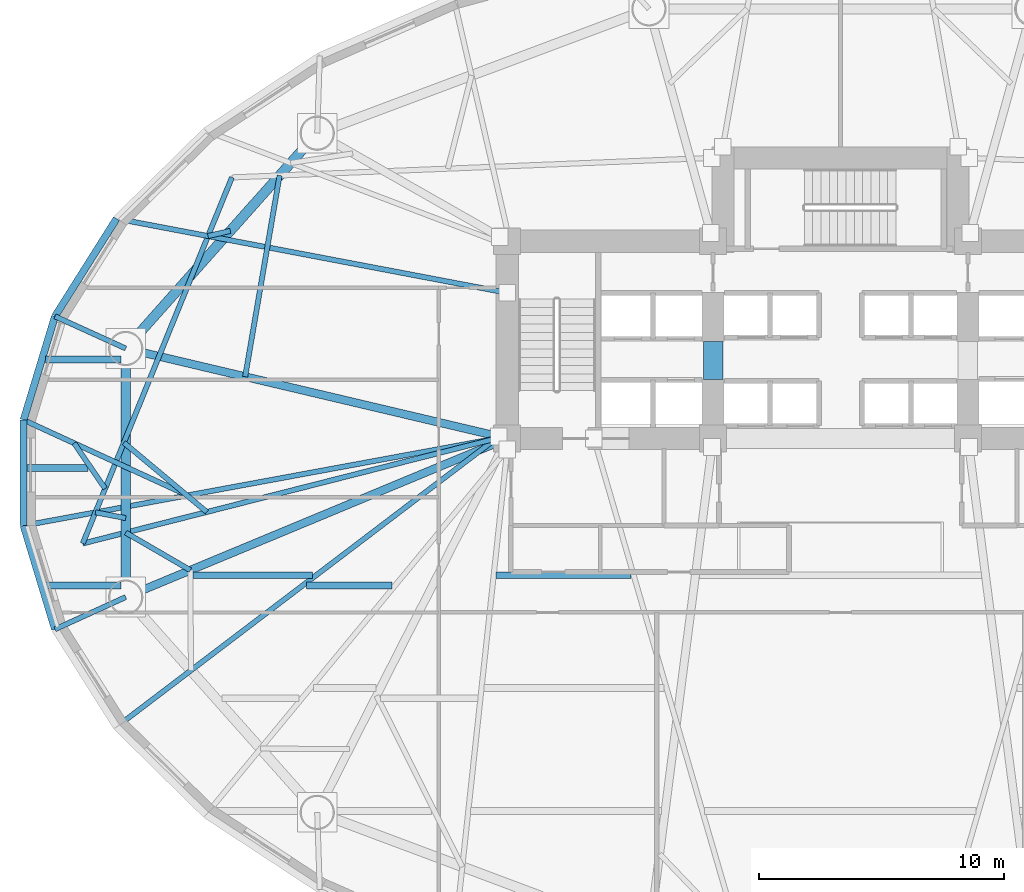
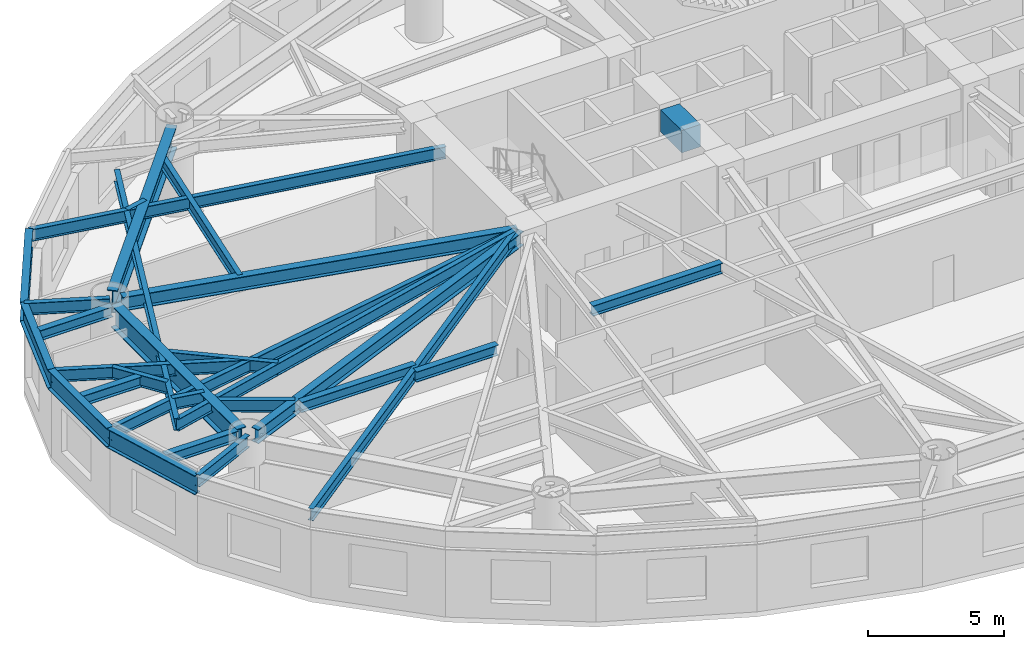
# One storey, part 3 of 18: 29 beams.
"""IFC4 building model written with IfcOpenShell, lengths in metres."""

from ifc_helpers import new_model, si_unit, direction, frame, origin, origin_2d, place, context, subcontext, project, spatial, rectangle, i_section, extrude, material, material_profile, profile_set, type_object, element, save


model = new_model("IFC4")

# Units and contexts
model_context = context("Model", 3, precision=1e-05, world=origin(), true_north=direction((0.0, 1.0)))
body_context = subcontext(model_context, "Body", "Model", "MODEL_VIEW")
ifc_project = project(units=[si_unit("LENGTHUNIT", "METRE"), si_unit("AREAUNIT", "SQUARE_METRE"), si_unit("VOLUMEUNIT", "CUBIC_METRE"), si_unit("PLANEANGLEUNIT", "RADIAN"), si_unit("MASSUNIT", "GRAM", prefix="KILO")], contexts=[model_context])

# Site, building, storey
site_placement = place(None, origin())
site = spatial("IfcSite", under=ifc_project, at=site_placement, CompositionType="ELEMENT")
building_placement = place(site_placement, origin())
building = spatial("IfcBuilding", under=site, at=building_placement, Name="Keldmark Tower", CompositionType="ELEMENT")
storey_placement = place(building_placement, frame((0.0, 0.0, 6.0)))
storey = spatial("IfcBuildingStorey", under=building, at=storey_placement, Name="L01", CompositionType="ELEMENT", Elevation=6.0)

# Beams
ifc_material_1 = material(Name="Steel ASTM A992 Grade 50", Category="steel")
ifc_material_profile_1 = material_profile(ifc_material_1, i_section(OverallWidth=0.280029296875, OverallDepth=0.462890625, WebThickness=0.0107421875, FlangeThickness=0.017333984375, at=origin_2d()), Name="W18X76")
ifc_profile_set_1 = profile_set([ifc_material_profile_1], Name="Steel ASTM A992 Grade 50")
beam_type_1 = type_object("IfcBeamType", Name="Composite Floor Joist W18X76", PredefinedType="JOIST", material=ifc_profile_set_1)
beam_1_placement = place(storey_placement, frame((-32.455078125, -4.60009765625, 3.74853515625), z_axis=(1.0, 0.0, 0.0), x_axis=(0.0, 1.0, 0.0)))
element("IfcBeam", 1, at=beam_1_placement, inside=storey, type_object=beam_type_1, Name="L01 Composite Floor Joist J14", PredefinedType="JOIST", context=body_context, shape_type="SweptSolid", body=[
    extrude(i_section(OverallWidth=0.280029296875, OverallDepth=0.462890625, WebThickness=0.0107421875, FlangeThickness=0.017333984375, at=origin_2d()), origin(), (0.0, 0.0, 1.0), 3.092041015625),
])
beam_2_placement = place(storey_placement, frame((-26.43359375, -4.179931640625, 3.74853515625), z_axis=(1.0, 0.0, 0.0), x_axis=(0.0, 1.0, 0.0)))
element("IfcBeam", 2, at=beam_2_placement, inside=storey, type_object=beam_type_1, Name="L01 Composite Floor Joist J15", PredefinedType="JOIST", context=body_context, shape_type="SweptSolid", body=[
    extrude(i_section(OverallWidth=0.280029296875, OverallDepth=0.462890625, WebThickness=0.0107421875, FlangeThickness=0.017333984375, at=origin_2d()), origin(), (0.0, 0.0, 1.0), 4.87646484375),
])
beam_3_placement = place(storey_placement, frame((-21.7861328125, -4.60009765625, 3.74853515625), z_axis=(1.0, 0.0, 0.0), x_axis=(0.0, 1.0, 0.0)))
element("IfcBeam", 3, at=beam_3_placement, inside=storey, type_object=beam_type_1, Name="L01 Composite Floor Joist J16", PredefinedType="JOIST", context=body_context, shape_type="SweptSolid", body=[
    extrude(i_section(OverallWidth=0.280029296875, OverallDepth=0.462890625, WebThickness=0.0107421875, FlangeThickness=0.017333984375, at=origin_2d()), origin(), (0.0, 0.0, 1.0), 3.482177734375),
])
beam_4_placement = place(storey_placement, frame((-14.055908203125, -4.179931640625, 3.74853515625), z_axis=(1.0, 0.0, 0.0), x_axis=(0.0, 1.0, 0.0)))
element("IfcBeam", 4, at=beam_4_placement, inside=storey, type_object=beam_type_1, Name="L01 Composite Floor Joist J17", PredefinedType="JOIST", context=body_context, shape_type="SweptSolid", body=[
    extrude(i_section(OverallWidth=0.280029296875, OverallDepth=0.462890625, WebThickness=0.0107421875, FlangeThickness=0.017333984375, at=origin_2d()), origin(), (0.0, 0.0, 1.0), 5.515625),
])
beam_5_placement = place(storey_placement, frame((-33.20166015625, 0.199951171875, 3.74853515625), z_axis=(1.0, 0.0, 0.0), x_axis=(0.0, 1.0, 0.0)))
element("IfcBeam", 5, at=beam_5_placement, inside=storey, type_object=beam_type_1, Name="L01 Composite Floor Joist J23", PredefinedType="JOIST", context=body_context, shape_type="SweptSolid", body=[
    extrude(i_section(OverallWidth=0.280029296875, OverallDepth=0.462890625, WebThickness=0.0107421875, FlangeThickness=0.017333984375, at=origin_2d()), origin(), (0.0, 0.0, 1.0), 2.49658203125),
])
beam_6_placement = place(storey_placement, frame((-32.44921875, 4.6201171875, 3.74853515625), z_axis=(1.0, 0.0, 0.0), x_axis=(0.0, 1.0, 0.0)))
element("IfcBeam", 6, at=beam_6_placement, inside=storey, type_object=beam_type_1, Name="L01 Composite Floor Joist J25", PredefinedType="JOIST", context=body_context, shape_type="SweptSolid", body=[
    extrude(i_section(OverallWidth=0.280029296875, OverallDepth=0.462890625, WebThickness=0.0107421875, FlangeThickness=0.017333984375, at=origin_2d()), origin(), (0.0, 0.0, 1.0), 3.086181640625),
])
ifc_material_2 = material(Name="Concrete C70/85", Category="concrete")
ifc_material_profile_2 = material_profile(ifc_material_2, rectangle(XDim=0.800048828125, YDim=1.0, at=origin_2d()), Name="RCB800X1000")
ifc_profile_set_2 = profile_set([ifc_material_profile_2], Name="Concrete C70/85")
beam_type_2 = type_object("IfcBeamType", Name="Core Coupling Beam RCB800X1000", PredefinedType="USERDEFINED", material=ifc_profile_set_2)
beam_7_placement = place(storey_placement, frame((-5.199951171875, 3.800048828125, 3.47998046875), z_axis=(0.0, 1.0, 0.0), x_axis=(-1.0, 0.0, 0.0)))
element("IfcBeam", 7, at=beam_7_placement, inside=storey, type_object=beam_type_2, Name="L01 West Core Coupling Beam", ObjectType="COUPLING BEAM", PredefinedType="USERDEFINED", context=body_context, shape_type="SweptSolid", body=[
    extrude(rectangle(XDim=0.800048828125, YDim=1.0, at=origin_2d()), origin(), (0.0, 0.0, 1.0), 1.550048828125),
])
ifc_material_3 = material(Name="Steel ASTM A992 Grade 50", Category="steel")
ifc_material_profile_3 = material_profile(ifc_material_3, i_section(OverallWidth=0.402099609375, OverallDepth=1.011962890625, WebThickness=0.023681640625, FlangeThickness=0.0419921875, at=origin_2d()), Name="W40X297")
ifc_profile_set_3 = profile_set([ifc_material_profile_3], Name="Steel ASTM A992 Grade 50")
beam_type_3 = type_object("IfcBeamType", Name="Podium Primary Girder W40X297", PredefinedType="BEAM", material=ifc_profile_set_3)
beam_8_placement = place(storey_placement, frame((-21.65380859375, 13.523193359375, 3.47412109375), z_axis=(-0.66464984112, -0.747154996436, 0.0), x_axis=(0.747154996436, -0.66464984112, 0.0)))
element("IfcBeam", 8, at=beam_8_placement, inside=storey, type_object=beam_type_3, Name="L01 Podium Ring Girder PG-R05", PredefinedType="BEAM", context=body_context, shape_type="SweptSolid", body=[
    extrude(i_section(OverallWidth=0.402099609375, OverallDepth=1.011962890625, WebThickness=0.023681640625, FlangeThickness=0.0419921875, at=origin_2d()), origin(), (0.0, 0.0, 1.0), 10.85986328125),
])
beam_9_placement = place(storey_placement, frame((-29.1708984375, 4.622802734375, 3.47412109375), z_axis=(0.0, -1.0, 0.0), x_axis=(1.0, 0.0, 0.0)))
element("IfcBeam", 9, at=beam_9_placement, inside=storey, type_object=beam_type_3, Name="L01 Podium Ring Girder PG-R06", PredefinedType="BEAM", context=body_context, shape_type="SweptSolid", body=[
    extrude(i_section(OverallWidth=0.402099609375, OverallDepth=1.011962890625, WebThickness=0.023681640625, FlangeThickness=0.0419921875, at=origin_2d()), origin(), (0.0, 0.0, 1.0), 9.24560546875),
])
ifc_material_4 = material(Name="Steel ASTM A992 Grade 50", Category="steel")
ifc_material_profile_4 = material_profile(ifc_material_4, i_section(OverallWidth=0.2099609375, OverallDepth=0.537109375, WebThickness=0.010986328125, FlangeThickness=0.017333984375, at=origin_2d()), Name="W21X68")
ifc_profile_set_4 = profile_set([ifc_material_profile_4], Name="Steel ASTM A992 Grade 50")
beam_type_4 = type_object("IfcBeamType", Name="Radial Tie Girder W21X68", PredefinedType="BEAM", material=ifc_profile_set_4)
beam_10_placement = place(storey_placement, frame((-24.29541015625, 3.9228515625, 3.71142578125), z_axis=(0.168727090465, 0.985662806919, 0.0), x_axis=(-0.985662806919, 0.168727090465, 0.0)))
element("IfcBeam", 10, at=beam_10_placement, inside=storey, type_object=beam_type_4, Name="L01 Framing Pin Header PH-002", PredefinedType="BEAM", context=body_context, shape_type="SweptSolid", body=[
    extrude(i_section(OverallWidth=0.2099609375, OverallDepth=0.537109375, WebThickness=0.010986328125, FlangeThickness=0.017333984375, at=origin_2d()), origin(), (0.0, 0.0, 1.0), 8.330078125),
])
beam_11_placement = place(storey_placement, frame((-26.53076171875, -3.975341796875, 3.71142578125), z_axis=(-0.864583927723, 0.502488439591, 0.0), x_axis=(-0.502488439591, -0.864583927723, 0.0)))
element("IfcBeam", 11, at=beam_11_placement, inside=storey, type_object=beam_type_4, Name="L01 Framing Pin Header PH-003", PredefinedType="BEAM", context=body_context, shape_type="SweptSolid", body=[
    extrude(i_section(OverallWidth=0.2099609375, OverallDepth=0.537109375, WebThickness=0.010986328125, FlangeThickness=0.017333984375, at=origin_2d()), origin(), (0.0, 0.0, 1.0), 3.0537109375),
])
beam_12_placement = place(storey_placement, frame((-14.050048828125, 1.39990234375, 3.71142578125), z_axis=(-0.969223280707, -0.246183330336, 0.0), x_axis=(0.246183330336, -0.969223280707, 0.0)))
element("IfcBeam", 12, at=beam_12_placement, inside=storey, type_object=beam_type_4, Name="L01 Sub-Ring Step Girder STP1-M07", PredefinedType="BEAM", context=body_context, shape_type="SweptSolid", body=[
    extrude(i_section(OverallWidth=0.2099609375, OverallDepth=0.537109375, WebThickness=0.010986328125, FlangeThickness=0.017333984375, at=origin_2d()), origin(), (0.0, 0.0, 1.0), 17.409423828125),
])
beam_13_placement = place(storey_placement, frame((-24.835205078125, 12.0546875, 3.71142578125), z_axis=(-0.377373313858, -0.926061219352, 0.0), x_axis=(0.926061219352, -0.377373313858, 0.0)))
element("IfcBeam", 13, at=beam_13_placement, inside=storey, type_object=beam_type_4, Name="L01 Perimeter Collector Ring Beam CRG1-M06", PredefinedType="BEAM", context=body_context, shape_type="SweptSolid", body=[
    extrude(i_section(OverallWidth=0.2099609375, OverallDepth=0.537109375, WebThickness=0.010986328125, FlangeThickness=0.017333984375, at=origin_2d()), origin(), (0.0, 0.0, 1.0), 16.133544921875),
])
beam_14_placement = place(storey_placement, frame((-25.861328125, -1.60009765625, 3.71142578125), z_axis=(-0.767009043325, 0.641636289075, 0.0), x_axis=(-0.641636289075, -0.767009043325, 0.0)))
element("IfcBeam", 14, at=beam_14_placement, inside=storey, type_object=beam_type_4, Name="L01 Framing Pin Header PH-006", PredefinedType="BEAM", context=body_context, shape_type="SweptSolid", body=[
    extrude(i_section(OverallWidth=0.2099609375, OverallDepth=0.537109375, WebThickness=0.010986328125, FlangeThickness=0.017333984375, at=origin_2d()), origin(), (0.0, 0.0, 1.0), 4.41259765625),
])
beam_15_placement = place(storey_placement, frame((-24.90185546875, 9.871826171875, 3.71142578125), z_axis=(-0.974258642334, -0.225433133848, 0.0), x_axis=(0.225433133848, -0.974258642334, 0.0)))
element("IfcBeam", 15, at=beam_15_placement, inside=storey, type_object=beam_type_4, Name="L01 Framing Pin Header PH-016", PredefinedType="BEAM", context=body_context, shape_type="SweptSolid", body=[
    extrude(i_section(OverallWidth=0.2099609375, OverallDepth=0.537109375, WebThickness=0.010986328125, FlangeThickness=0.017333984375, at=origin_2d()), origin(), (0.0, 0.0, 1.0), 0.932373046875),
])
beam_16_placement = place(storey_placement, frame((-13.60009765625, 7.343017578125, 3.71142578125), z_axis=(-0.982445190552, 0.186551460894, 0.0), x_axis=(-0.186551460894, -0.982445190552, 0.0)))
element("IfcBeam", 16, at=beam_16_placement, inside=storey, type_object=beam_type_4, Name="L01 Perimeter Radial Tie Girder RT-14", PredefinedType="BEAM", context=body_context, shape_type="SweptSolid", body=[
    extrude(i_section(OverallWidth=0.2099609375, OverallDepth=0.537109375, WebThickness=0.010986328125, FlangeThickness=0.017333984375, at=origin_2d()), origin(), (0.0, 0.0, 1.0), 16.229248046875),
])
beam_17_placement = place(storey_placement, frame((-29.1708984375, 5.072998046875, 3.71142578125), z_axis=(-0.910237250682, 0.414087125458, 0.0), x_axis=(-0.414087125458, -0.910237250682, 0.0)))
element("IfcBeam", 17, at=beam_17_placement, inside=storey, type_object=beam_type_4, Name="L01 Perimeter Column Bracket RT-15", PredefinedType="BEAM", context=body_context, shape_type="SweptSolid", body=[
    extrude(i_section(OverallWidth=0.2099609375, OverallDepth=0.537109375, WebThickness=0.010986328125, FlangeThickness=0.017333984375, at=origin_2d()), origin(), (0.0, 0.0, 1.0), 3.17138671875),
])
beam_18_placement = place(storey_placement, frame((-30.01025390625, -0.644775390625, 3.71142578125), z_axis=(-0.564325178831, 0.825552598286, 0.0), x_axis=(-0.825552598286, -0.564325178831, 0.0)))
element("IfcBeam", 18, at=beam_18_placement, inside=storey, type_object=beam_type_4, Name="L01 Framing Pin Header PH-017", PredefinedType="BEAM", context=body_context, shape_type="SweptSolid", body=[
    extrude(i_section(OverallWidth=0.2099609375, OverallDepth=0.537109375, WebThickness=0.010986328125, FlangeThickness=0.017333984375, at=origin_2d()), origin(), (0.0, 0.0, 1.0), 2.244873046875),
])
beam_19_placement = place(storey_placement, frame((-26.70751953125, -0.892333984375, 3.71142578125), z_axis=(-0.908567400378, 0.417738290045, 0.0), x_axis=(-0.417738290045, -0.908567400378, 0.0)))
element("IfcBeam", 19, at=beam_19_placement, inside=storey, type_object=beam_type_4, Name="L01 Perimeter Radial Tie Girder RT-16", PredefinedType="BEAM", context=body_context, shape_type="SweptSolid", body=[
    extrude(i_section(OverallWidth=0.2099609375, OverallDepth=0.537109375, WebThickness=0.010986328125, FlangeThickness=0.017333984375, at=origin_2d()), origin(), (0.0, 0.0, 1.0), 7.29833984375),
])
beam_20_placement = place(storey_placement, frame((-29.1708984375, -1.84912109375, 3.71142578125), z_axis=(-0.982609535438, 0.185683873469, 0.0), x_axis=(-0.185683873469, -0.982609535438, 0.0)))
element("IfcBeam", 20, at=beam_20_placement, inside=storey, type_object=beam_type_4, Name="L01 Framing Pin Header PH-018", PredefinedType="BEAM", context=body_context, shape_type="SweptSolid", body=[
    extrude(i_section(OverallWidth=0.2099609375, OverallDepth=0.537109375, WebThickness=0.010986328125, FlangeThickness=0.017333984375, at=origin_2d()), origin(), (0.0, 0.0, 1.0), 1.257080078125),
])
beam_21_placement = place(storey_placement, frame((-14.050048828125, 1.39990234375, 3.71142578125), z_axis=(-0.983423761945, -0.181322101363, 0.0), x_axis=(0.181322101363, -0.983423761945, 0.0)))
element("IfcBeam", 21, at=beam_21_placement, inside=storey, type_object=beam_type_4, Name="L01 Perimeter Radial Tie Girder RT-17", PredefinedType="BEAM", context=body_context, shape_type="SweptSolid", body=[
    extrude(i_section(OverallWidth=0.2099609375, OverallDepth=0.537109375, WebThickness=0.010986328125, FlangeThickness=0.017333984375, at=origin_2d()), origin(), (0.0, 0.0, 1.0), 19.61376953125),
])
beam_22_placement = place(storey_placement, frame((-29.1708984375, -5.072998046875, 3.71142578125), z_axis=(-0.910237250682, -0.414087125458, 0.0), x_axis=(0.414087125458, -0.910237250682, 0.0)))
element("IfcBeam", 22, at=beam_22_placement, inside=storey, type_object=beam_type_4, Name="L01 Perimeter Column Bracket RT-18", PredefinedType="BEAM", context=body_context, shape_type="SweptSolid", body=[
    extrude(i_section(OverallWidth=0.2099609375, OverallDepth=0.537109375, WebThickness=0.010986328125, FlangeThickness=0.017333984375, at=origin_2d()), origin(), (0.0, 0.0, 1.0), 3.17138671875),
])
beam_23_placement = place(storey_placement, frame((-14.050048828125, 1.39990234375, 3.71142578125), z_axis=(-0.796291526481, -0.604913055616, 0.0), x_axis=(0.604913055616, -0.796291526481, 0.0)))
element("IfcBeam", 23, at=beam_23_placement, inside=storey, type_object=beam_type_4, Name="L01 Perimeter Radial Tie Girder RT-19", PredefinedType="BEAM", context=body_context, shape_type="SweptSolid", body=[
    extrude(i_section(OverallWidth=0.2099609375, OverallDepth=0.537109375, WebThickness=0.010986328125, FlangeThickness=0.017333984375, at=origin_2d()), origin(), (0.0, 0.0, 1.0), 19.458251953125),
])
ifc_material_5 = material(Name="Steel ASTM A992 Grade 50", Category="steel")
ifc_material_profile_5 = material_profile(ifc_material_5, i_section(OverallWidth=0.326904296875, OverallDepth=0.6220703125, WebThickness=0.015380859375, FlangeThickness=0.0244140625, at=origin_2d()), Name="W24X131")
ifc_profile_set_5 = profile_set([ifc_material_profile_5], Name="Steel ASTM A992 Grade 50")
beam_type_5 = type_object("IfcBeamType", Name="Spandrel Ring Beam W24X131", PredefinedType="SPANDREL", material=ifc_profile_set_5)
beam_24_placement = place(storey_placement, frame((-28.73291015625, 4.969482421875, 3.6689453125), z_axis=(0.973292516513, -0.229568458854, 0.0), x_axis=(0.229568458854, 0.973292516513, 0.0)))
element("IfcBeam", 24, at=beam_24_placement, inside=storey, type_object=beam_type_5, Name="L01 Podium Radial Girder PG-C06", PredefinedType="SPANDREL", context=body_context, shape_type="SweptSolid", body=[
    extrude(i_section(OverallWidth=0.326904296875, OverallDepth=0.6220703125, WebThickness=0.015380859375, FlangeThickness=0.0244140625, at=origin_2d()), origin(), (0.0, 0.0, 1.0), 15.1982421875),
])
beam_25_placement = place(storey_placement, frame((-28.755615234375, -4.900146484375, 3.6689453125), z_axis=(0.923395872542, 0.383849010123, 0.0), x_axis=(-0.383849010123, 0.923395872542, 0.0)))
element("IfcBeam", 25, at=beam_25_placement, inside=storey, type_object=beam_type_5, Name="L01 Podium Radial Girder PG-C07", PredefinedType="SPANDREL", context=body_context, shape_type="SweptSolid", body=[
    extrude(i_section(OverallWidth=0.326904296875, OverallDepth=0.6220703125, WebThickness=0.015380859375, FlangeThickness=0.0244140625, at=origin_2d()), origin(), (0.0, 0.0, 1.0), 16.06298828125),
])
ifc_material_6 = material(Name="Steel ASTM A992 Grade 50", Category="steel")
ifc_material_profile_6 = material_profile(ifc_material_6, i_section(OverallWidth=0.2919921875, OverallDepth=0.85888671875, WebThickness=0.01708984375, FlangeThickness=0.031005859375, at=origin_2d()), Name="W33X169")
ifc_profile_set_6 = profile_set([ifc_material_profile_6], Name="Steel ASTM A992 Grade 50")
beam_type_6 = type_object("IfcBeamType", Name="Spandrel Ring Beam W33X169", PredefinedType="SPANDREL", material=ifc_profile_set_6)
beam_26_placement = place(storey_placement, frame((-29.54443359375, 10.37060546875, 3.550537109375), z_axis=(-0.53349762721, -0.845801561693, 0.0), x_axis=(0.845801561693, -0.53349762721, 0.0)))
element("IfcBeam", 26, at=beam_26_placement, inside=storey, type_object=beam_type_6, Name="L01 Perimeter Spandrel Ring Beam SRB-14", PredefinedType="SPANDREL", context=body_context, shape_type="SweptSolid", body=[
    extrude(i_section(OverallWidth=0.2919921875, OverallDepth=0.85888671875, WebThickness=0.01708984375, FlangeThickness=0.031005859375, at=origin_2d()), origin(), (0.0, 0.0, 1.0), 4.710693359375),
])
beam_27_placement = place(storey_placement, frame((-32.0576171875, 6.38623046875, 3.550537109375), z_axis=(-0.289855603468, -0.957070388811, 0.0), x_axis=(0.957070388811, -0.289855603468, 0.0)))
element("IfcBeam", 27, at=beam_27_placement, inside=storey, type_object=beam_type_6, Name="L01 Perimeter Spandrel Ring Beam SRB-15", PredefinedType="SPANDREL", context=body_context, shape_type="SweptSolid", body=[
    extrude(i_section(OverallWidth=0.2919921875, OverallDepth=0.85888671875, WebThickness=0.01708984375, FlangeThickness=0.031005859375, at=origin_2d()), origin(), (0.0, 0.0, 1.0), 4.41943359375),
])
beam_28_placement = place(storey_placement, frame((-33.338623046875, 2.156494140625, 3.550537109375), z_axis=(0.0, -1.0, 0.0), x_axis=(1.0, 0.0, 0.0)))
element("IfcBeam", 28, at=beam_28_placement, inside=storey, type_object=beam_type_6, Name="L01 Perimeter Spandrel Ring Beam SRB-16", PredefinedType="SPANDREL", context=body_context, shape_type="SweptSolid", body=[
    extrude(i_section(OverallWidth=0.2919921875, OverallDepth=0.85888671875, WebThickness=0.01708984375, FlangeThickness=0.031005859375, at=origin_2d()), origin(), (0.0, 0.0, 1.0), 4.31298828125),
])
beam_29_placement = place(storey_placement, frame((-33.338623046875, -2.156494140625, 3.550537109375), z_axis=(0.289855603468, -0.957070388811, 0.0), x_axis=(0.957070388811, 0.289855603468, 0.0)))
element("IfcBeam", 29, at=beam_29_placement, inside=storey, type_object=beam_type_6, Name="L01 Perimeter Spandrel Ring Beam SRB-17", PredefinedType="SPANDREL", context=body_context, shape_type="SweptSolid", body=[
    extrude(i_section(OverallWidth=0.2919921875, OverallDepth=0.85888671875, WebThickness=0.01708984375, FlangeThickness=0.031005859375, at=origin_2d()), origin(), (0.0, 0.0, 1.0), 4.41943359375),
])

save(model, "model.ifc")
